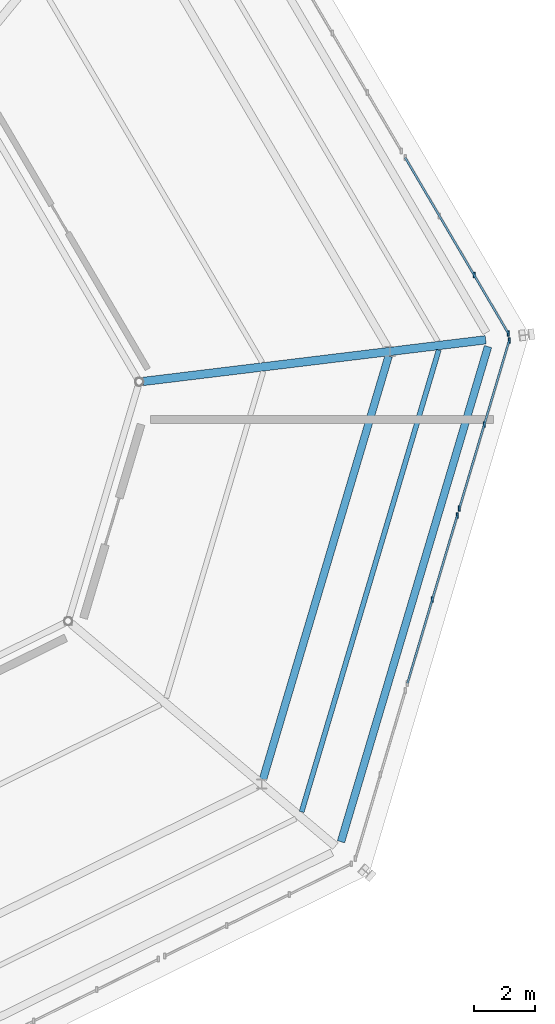
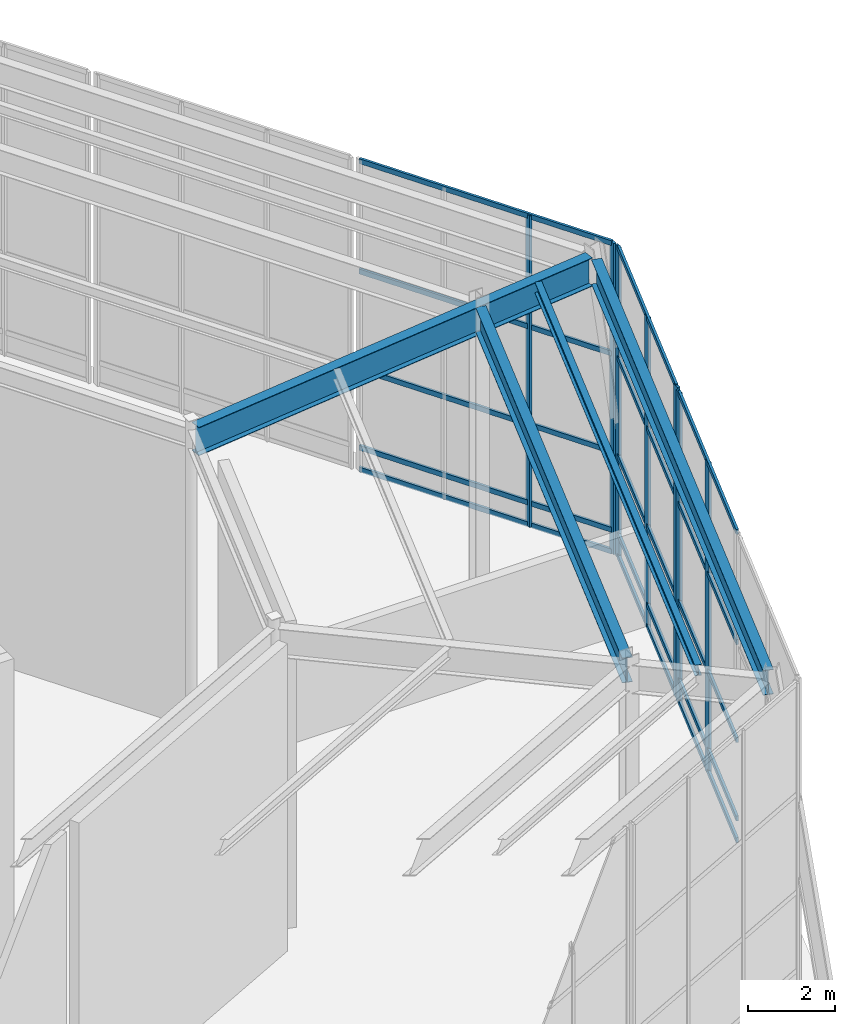
# One storey, part 23 of 48: 22 members, 4 beams, 3 elements without a shape of their own.
"""IFC4 building model written with IfcOpenShell, lengths in metres."""

from ifc_helpers import new_model, si_unit, direction, frame, origin, origin_2d, place, context, subcontext, project, spatial, rectangle, i_section, extrude, material, material_profile, profile_set, type_object, element, aggregate, save


model = new_model("IFC4")

# Units and contexts
model_context = context("Model", 3, precision=1e-05, world=origin(), true_north=direction((0.0, 1.0)))
body_context = subcontext(model_context, "Body", "Model", "MODEL_VIEW")
ifc_project = project(units=[si_unit("LENGTHUNIT", "METRE"), si_unit("AREAUNIT", "SQUARE_METRE"), si_unit("VOLUMEUNIT", "CUBIC_METRE"), si_unit("PLANEANGLEUNIT", "RADIAN"), si_unit("MASSUNIT", "GRAM", prefix="KILO")], contexts=[model_context])

# Site, building, storey
site_placement = place(None, origin())
site = spatial("IfcSite", under=ifc_project, at=site_placement, CompositionType="ELEMENT")
building_placement = place(site_placement, origin())
building = spatial("IfcBuilding", under=site, at=building_placement, Name="Sarnbrook Museum", CompositionType="ELEMENT")
storey_placement = place(building_placement, frame((0.0, 0.0, 19.10009765625)))
storey = spatial("IfcBuildingStorey", under=building, at=storey_placement, Name="L04", CompositionType="ELEMENT", Elevation=19.10009765625)

# Beams
ifc_material_1 = material(Name="Structural Steel Grade 350L0 (AS/NZS 3678, fy = 340 MPa for 20 < t <= 40 mm)", Category="steel")
ifc_material_profile_1 = material_profile(ifc_material_1, i_section(OverallWidth=0.25, OverallDepth=0.699951171875, WebThickness=0.010009765625, FlangeThickness=0.01611328125, at=origin_2d()), Name="700WB130")
ifc_profile_set_1 = profile_set([ifc_material_profile_1], Name="Structural Steel Grade 350L0 (AS/NZS 3678, fy = 340 MPa for 20 < t <= 40 mm)")
beam_type_1 = type_object("IfcBeamType", Name="BM-WB700", PredefinedType="BEAM", material=ifc_profile_set_1)
beam_1_placement = place(storey_placement, frame((160.9990234375, 71.12109375, 8.389892578125), z_axis=(0.284592911053, 0.958648462669, 0.0), x_axis=(-0.958648462669, 0.284592911053, 0.0)))
element("IfcBeam", 1, at=beam_1_placement, inside=storey, type_object=beam_type_1, Name="Crystal Hall Perimeter Ring Girder 3 L04", PredefinedType="BEAM", context=body_context, shape_type="SweptSolid", body=[
    extrude(i_section(OverallWidth=0.25, OverallDepth=0.699951171875, WebThickness=0.010009765625, FlangeThickness=0.01611328125, at=origin_2d()), origin(), (0.0, 0.0, 1.0), 16.950439453125),
])
beam_2_placement = place(storey_placement, frame((158.438232421875, 73.169189453125, 8.389892578125), z_axis=(0.284607000201, 0.958644279927, 0.0), x_axis=(-0.958644279927, 0.284607000201, 0.0)))
element("IfcBeam", 2, at=beam_2_placement, inside=storey, type_object=beam_type_1, Name="Crystal Hall R1 Ring Girder 3 L04", PredefinedType="BEAM", context=body_context, shape_type="SweptSolid", body=[
    extrude(i_section(OverallWidth=0.25, OverallDepth=0.699951171875, WebThickness=0.010009765625, FlangeThickness=0.01611328125, at=origin_2d()), origin(), (0.0, 0.0, 1.0), 14.48681640625),
])
ifc_material_profile_2 = material_profile(ifc_material_1, i_section(OverallWidth=0.27490234375, OverallDepth=0.800048828125, WebThickness=0.010009765625, FlangeThickness=0.01611328125, at=origin_2d()), Name="800WB146")
ifc_profile_set_2 = profile_set([ifc_material_profile_2], Name="Structural Steel Grade 350L0 (AS/NZS 3678, fy = 340 MPa for 20 < t <= 40 mm)")
beam_type_2 = type_object("IfcBeamType", Name="CR-CANT", PredefinedType="BEAM", material=ifc_profile_set_2)
beam_3_placement = place(storey_placement, frame((154.501220703125, 86.224609375, 8.33984375), z_axis=(0.992686188538, 0.120723365946, 0.0), x_axis=(-0.120723365946, 0.992686188538, 0.0)))
element("IfcBeam", 3, at=beam_3_placement, inside=storey, type_object=beam_type_2, Name="Crystal Hall Radial Cantilever Girder 4 L04", PredefinedType="BEAM", context=body_context, shape_type="SweptSolid", body=[
    extrude(i_section(OverallWidth=0.27490234375, OverallDepth=0.800048828125, WebThickness=0.010009765625, FlangeThickness=0.01611328125, at=origin_2d()), origin(), (0.0, 0.0, 1.0), 11.326904296875),
])

# Curtain wall, members
ifc_material_2 = material(Name="Thermally Broken Anodised Aluminium 6063-T6", Category="aluminium")
curtain_wall_type = type_object("IfcCurtainWallType", Name="CurtainWall_CrystalFacet", PredefinedType="NOTDEFINED", material=ifc_material_2)
curtain_wall_1_placement = place(storey_placement, origin())
curtain_wall_1 = element("IfcCurtainWall", 4, at=curtain_wall_1_placement, inside=storey, type_object=curtain_wall_type, Name="Crystal Hall Facet Curtain Wall L04-F3.2", PredefinedType="NOTDEFINED")
ifc_material_profile_3 = material_profile(ifc_material_2, rectangle(XDim=0.06494140625, YDim=0.179931640625, at=origin_2d()), Name="ALU MULLION 65x180")
ifc_profile_set_3 = profile_set([ifc_material_profile_3], Name="Thermally Broken Anodised Aluminium 6063-T6")
member_type_1 = type_object("IfcMemberType", Name="CW_Mullion_180x75", PredefinedType="MULLION", material=ifc_profile_set_3)
member_1_placement = place(storey_placement, frame((163.995361328125, 79.07177734375, 0.0), z_axis=(0.0, 0.0, 1.0), x_axis=(1.0, 0.0, 0.0)))
member_1 = element("IfcMember", 5, at=member_1_placement, type_object=member_type_1, Name="Crystal Hall Facet Curtain Wall L04-F3.2 Mullion 2", PredefinedType="MULLION", context=body_context, shape_type="SweptSolid", body=[
    extrude(rectangle(XDim=0.06494140625, YDim=0.179931640625, at=origin_2d()), origin(), (0.0, 0.0, 1.0), 8.739990234375),
])
member_2_placement = place(storey_placement, frame((164.814208984375, 81.82958984375, 0.0), z_axis=(0.0, 0.0, 1.0), x_axis=(1.0, 0.0, 0.0)))
member_2 = element("IfcMember", 6, at=member_2_placement, type_object=member_type_1, Name="Crystal Hall Facet Curtain Wall L04-F3.2 Mullion 3", PredefinedType="MULLION", context=body_context, shape_type="SweptSolid", body=[
    extrude(rectangle(XDim=0.06494140625, YDim=0.179931640625, at=origin_2d()), origin(), (0.0, 0.0, 1.0), 8.739990234375),
])

curtain_wall_2_placement = place(storey_placement, origin())
curtain_wall_2 = element("IfcCurtainWall", 7, at=curtain_wall_2_placement, inside=storey, type_object=curtain_wall_type, Name="Crystal Hall Facet Curtain Wall L04-F3.3", PredefinedType="NOTDEFINED")
member_3_placement = place(storey_placement, frame((164.88232421875, 82.059814453125, 0.0), z_axis=(0.0, 0.0, 1.0), x_axis=(1.0, 0.0, 0.0)))
member_3 = element("IfcMember", 8, at=member_3_placement, type_object=member_type_1, Name="Crystal Hall Facet Curtain Wall L04-F3.3 Mullion 1", PredefinedType="MULLION", context=body_context, shape_type="SweptSolid", body=[
    extrude(rectangle(XDim=0.06494140625, YDim=0.179931640625, at=origin_2d()), origin(), (0.0, 0.0, 1.0), 8.739990234375),
])
member_4_placement = place(storey_placement, frame((165.701171875, 84.8173828125, 0.0), z_axis=(0.0, 0.0, 1.0), x_axis=(1.0, 0.0, 0.0)))
member_4 = element("IfcMember", 9, at=member_4_placement, type_object=member_type_1, Name="Crystal Hall Facet Curtain Wall L04-F3.3 Mullion 2", PredefinedType="MULLION", context=body_context, shape_type="SweptSolid", body=[
    extrude(rectangle(XDim=0.06494140625, YDim=0.179931640625, at=origin_2d()), origin(), (0.0, 0.0, 1.0), 8.739990234375),
])
member_5_placement = place(storey_placement, frame((166.519775390625, 87.575439453125, 0.0), z_axis=(0.0, 0.0, 1.0), x_axis=(1.0, 0.0, 0.0)))
member_5 = element("IfcMember", 10, at=member_5_placement, type_object=member_type_1, Name="Crystal Hall Facet Curtain Wall L04-F3.3 Mullion 3", PredefinedType="MULLION", context=body_context, shape_type="SweptSolid", body=[
    extrude(rectangle(XDim=0.06494140625, YDim=0.179931640625, at=origin_2d()), origin(), (0.0, 0.0, 1.0), 8.739990234375),
])

curtain_wall_3_placement = place(storey_placement, origin())
curtain_wall_3 = element("IfcCurtainWall", 11, at=curtain_wall_3_placement, inside=storey, type_object=curtain_wall_type, Name="Crystal Hall Facet Curtain Wall L04-F4.1", PredefinedType="NOTDEFINED")
member_6_placement = place(storey_placement, frame((166.493408203125, 87.7939453125, 0.0), z_axis=(0.0, 0.0, 1.0), x_axis=(1.0, 0.0, 0.0)))
member_6 = element("IfcMember", 12, at=member_6_placement, type_object=member_type_1, Name="Crystal Hall Facet Curtain Wall L04-F4.1 Mullion 1", PredefinedType="MULLION", context=body_context, shape_type="SweptSolid", body=[
    extrude(rectangle(XDim=0.06494140625, YDim=0.179931640625, at=origin_2d()), origin(), (0.0, 0.0, 1.0), 8.739990234375),
])
member_7_placement = place(storey_placement, frame((165.368896484375, 89.710205078125, 0.0), z_axis=(0.0, 0.0, 1.0), x_axis=(1.0, 0.0, 0.0)))
member_7 = element("IfcMember", 13, at=member_7_placement, type_object=member_type_1, Name="Crystal Hall Facet Curtain Wall L04-F4.1 Mullion 2", PredefinedType="MULLION", context=body_context, shape_type="SweptSolid", body=[
    extrude(rectangle(XDim=0.06494140625, YDim=0.179931640625, at=origin_2d()), origin(), (0.0, 0.0, 1.0), 8.739990234375),
])

# Member
ifc_material_profile_4 = material_profile(ifc_material_2, rectangle(XDim=0.06494140625, YDim=0.139892578125, at=origin_2d()), Name="ALU TRANSOM 65x140")
ifc_profile_set_4 = profile_set([ifc_material_profile_4], Name="Thermally Broken Anodised Aluminium 6063-T6")
member_type_2 = type_object("IfcMemberType", Name="CW_Transom_150x65", PredefinedType="USERDEFINED", material=ifc_profile_set_4)
member_8_placement = place(storey_placement, frame((163.179443359375, 76.323486328125, 0.039794921875), z_axis=(0.284604402661, 0.958645051093, 0.0), x_axis=(-0.958645051093, 0.284604402661, 0.0)))
member_8 = element("IfcMember", 14, at=member_8_placement, type_object=member_type_2, Name="Crystal Hall Facet Curtain Wall L04-F3.2 Transom 1", ObjectType="TRANSOM", PredefinedType="USERDEFINED", context=body_context, shape_type="SweptSolid", body=[
    extrude(rectangle(XDim=0.06494140625, YDim=0.139892578125, at=origin_2d()), origin(), (0.0, 0.0, 1.0), 5.733642578125),
])

member_9_placement = place(storey_placement, frame((163.179443359375, 76.323486328125, 0.64990234375), z_axis=(0.284604402661, 0.958645051093, 0.0), x_axis=(-0.958645051093, 0.284604402661, 0.0)))
member_9 = element("IfcMember", 15, at=member_9_placement, type_object=member_type_2, Name="Crystal Hall Facet Curtain Wall L04-F3.2 Transom 2", ObjectType="TRANSOM", PredefinedType="USERDEFINED", context=body_context, shape_type="SweptSolid", body=[
    extrude(rectangle(XDim=0.06494140625, YDim=0.139892578125, at=origin_2d()), origin(), (0.0, 0.0, 1.0), 5.733642578125),
])

member_10_placement = place(storey_placement, frame((163.179443359375, 76.323486328125, 2.849853515625), z_axis=(0.284604402661, 0.958645051093, 0.0), x_axis=(-0.958645051093, 0.284604402661, 0.0)))
member_10 = element("IfcMember", 16, at=member_10_placement, type_object=member_type_2, Name="Crystal Hall Facet Curtain Wall L04-F3.2 Transom 3", ObjectType="TRANSOM", PredefinedType="USERDEFINED", context=body_context, shape_type="SweptSolid", body=[
    extrude(rectangle(XDim=0.06494140625, YDim=0.139892578125, at=origin_2d()), origin(), (0.0, 0.0, 1.0), 5.733642578125),
])

member_11_placement = place(storey_placement, frame((163.179443359375, 76.323486328125, 5.599853515625), z_axis=(0.284604402661, 0.958645051093, 0.0), x_axis=(-0.958645051093, 0.284604402661, 0.0)))
member_11 = element("IfcMember", 17, at=member_11_placement, type_object=member_type_2, Name="Crystal Hall Facet Curtain Wall L04-F3.2 Transom 4", ObjectType="TRANSOM", PredefinedType="USERDEFINED", context=body_context, shape_type="SweptSolid", body=[
    extrude(rectangle(XDim=0.06494140625, YDim=0.139892578125, at=origin_2d()), origin(), (0.0, 0.0, 1.0), 5.733642578125),
])

member_12_placement = place(storey_placement, frame((163.179443359375, 76.323486328125, 8.699951171875), z_axis=(0.284604402661, 0.958645051093, 0.0), x_axis=(-0.958645051093, 0.284604402661, 0.0)))
member_12 = element("IfcMember", 18, at=member_12_placement, type_object=member_type_2, Name="Crystal Hall Facet Curtain Wall L04-F3.2 Transom 5", ObjectType="TRANSOM", PredefinedType="USERDEFINED", context=body_context, shape_type="SweptSolid", body=[
    extrude(rectangle(XDim=0.06494140625, YDim=0.139892578125, at=origin_2d()), origin(), (0.0, 0.0, 1.0), 5.733642578125),
])

aggregate(curtain_wall_1, [member_1, member_2, member_8, member_9, member_10, member_11, member_12])

member_13_placement = place(storey_placement, frame((164.88525390625, 82.0693359375, 0.039794921875), z_axis=(0.284604402661, 0.958645051093, 0.0), x_axis=(-0.958645051093, 0.284604402661, 0.0)))
member_13 = element("IfcMember", 19, at=member_13_placement, type_object=member_type_2, Name="Crystal Hall Facet Curtain Wall L04-F3.3 Transom 1", ObjectType="TRANSOM", PredefinedType="USERDEFINED", context=body_context, shape_type="SweptSolid", body=[
    extrude(rectangle(XDim=0.06494140625, YDim=0.139892578125, at=origin_2d()), origin(), (0.0, 0.0, 1.0), 5.733642578125),
])

member_14_placement = place(storey_placement, frame((164.88525390625, 82.0693359375, 0.64990234375), z_axis=(0.284604402661, 0.958645051093, 0.0), x_axis=(-0.958645051093, 0.284604402661, 0.0)))
member_14 = element("IfcMember", 20, at=member_14_placement, type_object=member_type_2, Name="Crystal Hall Facet Curtain Wall L04-F3.3 Transom 2", ObjectType="TRANSOM", PredefinedType="USERDEFINED", context=body_context, shape_type="SweptSolid", body=[
    extrude(rectangle(XDim=0.06494140625, YDim=0.139892578125, at=origin_2d()), origin(), (0.0, 0.0, 1.0), 5.733642578125),
])

member_15_placement = place(storey_placement, frame((164.88525390625, 82.0693359375, 2.849853515625), z_axis=(0.284604402661, 0.958645051093, 0.0), x_axis=(-0.958645051093, 0.284604402661, 0.0)))
member_15 = element("IfcMember", 21, at=member_15_placement, type_object=member_type_2, Name="Crystal Hall Facet Curtain Wall L04-F3.3 Transom 3", ObjectType="TRANSOM", PredefinedType="USERDEFINED", context=body_context, shape_type="SweptSolid", body=[
    extrude(rectangle(XDim=0.06494140625, YDim=0.139892578125, at=origin_2d()), origin(), (0.0, 0.0, 1.0), 5.733642578125),
])

member_16_placement = place(storey_placement, frame((164.88525390625, 82.0693359375, 5.599853515625), z_axis=(0.284604402661, 0.958645051093, 0.0), x_axis=(-0.958645051093, 0.284604402661, 0.0)))
member_16 = element("IfcMember", 22, at=member_16_placement, type_object=member_type_2, Name="Crystal Hall Facet Curtain Wall L04-F3.3 Transom 4", ObjectType="TRANSOM", PredefinedType="USERDEFINED", context=body_context, shape_type="SweptSolid", body=[
    extrude(rectangle(XDim=0.06494140625, YDim=0.139892578125, at=origin_2d()), origin(), (0.0, 0.0, 1.0), 5.733642578125),
])

member_17_placement = place(storey_placement, frame((164.88525390625, 82.0693359375, 8.699951171875), z_axis=(0.284604402661, 0.958645051093, 0.0), x_axis=(-0.958645051093, 0.284604402661, 0.0)))
member_17 = element("IfcMember", 23, at=member_17_placement, type_object=member_type_2, Name="Crystal Hall Facet Curtain Wall L04-F3.3 Transom 5", ObjectType="TRANSOM", PredefinedType="USERDEFINED", context=body_context, shape_type="SweptSolid", body=[
    extrude(rectangle(XDim=0.06494140625, YDim=0.139892578125, at=origin_2d()), origin(), (0.0, 0.0, 1.0), 5.733642578125),
])

aggregate(curtain_wall_2, [member_3, member_4, member_5, member_13, member_14, member_15, member_16, member_17])

member_18_placement = place(storey_placement, frame((166.48828125, 87.802490234375, 0.039794921875), z_axis=(-0.5060559046, 0.862500679084, 0.0), x_axis=(-0.862500679084, -0.5060559046, 0.0)))
member_18 = element("IfcMember", 24, at=member_18_placement, type_object=member_type_2, Name="Crystal Hall Facet Curtain Wall L04-F4.1 Transom 1", ObjectType="TRANSOM", PredefinedType="USERDEFINED", context=body_context, shape_type="SweptSolid", body=[
    extrude(rectangle(XDim=0.06494140625, YDim=0.139892578125, at=origin_2d()), origin(), (0.0, 0.0, 1.0), 6.685546875),
])

member_19_placement = place(storey_placement, frame((166.48828125, 87.802490234375, 0.64990234375), z_axis=(-0.5060559046, 0.862500679084, 0.0), x_axis=(-0.862500679084, -0.5060559046, 0.0)))
member_19 = element("IfcMember", 25, at=member_19_placement, type_object=member_type_2, Name="Crystal Hall Facet Curtain Wall L04-F4.1 Transom 2", ObjectType="TRANSOM", PredefinedType="USERDEFINED", context=body_context, shape_type="SweptSolid", body=[
    extrude(rectangle(XDim=0.06494140625, YDim=0.139892578125, at=origin_2d()), origin(), (0.0, 0.0, 1.0), 6.685546875),
])

member_20_placement = place(storey_placement, frame((166.48828125, 87.802490234375, 2.849853515625), z_axis=(-0.5060559046, 0.862500679084, 0.0), x_axis=(-0.862500679084, -0.5060559046, 0.0)))
member_20 = element("IfcMember", 26, at=member_20_placement, type_object=member_type_2, Name="Crystal Hall Facet Curtain Wall L04-F4.1 Transom 3", ObjectType="TRANSOM", PredefinedType="USERDEFINED", context=body_context, shape_type="SweptSolid", body=[
    extrude(rectangle(XDim=0.06494140625, YDim=0.139892578125, at=origin_2d()), origin(), (0.0, 0.0, 1.0), 6.685546875),
])

member_21_placement = place(storey_placement, frame((166.48828125, 87.802490234375, 5.599853515625), z_axis=(-0.5060559046, 0.862500679084, 0.0), x_axis=(-0.862500679084, -0.5060559046, 0.0)))
member_21 = element("IfcMember", 27, at=member_21_placement, type_object=member_type_2, Name="Crystal Hall Facet Curtain Wall L04-F4.1 Transom 4", ObjectType="TRANSOM", PredefinedType="USERDEFINED", context=body_context, shape_type="SweptSolid", body=[
    extrude(rectangle(XDim=0.06494140625, YDim=0.139892578125, at=origin_2d()), origin(), (0.0, 0.0, 1.0), 6.685546875),
])

member_22_placement = place(storey_placement, frame((166.48828125, 87.802490234375, 8.699951171875), z_axis=(-0.5060559046, 0.862500679084, 0.0), x_axis=(-0.862500679084, -0.5060559046, 0.0)))
member_22 = element("IfcMember", 28, at=member_22_placement, type_object=member_type_2, Name="Crystal Hall Facet Curtain Wall L04-F4.1 Transom 5", ObjectType="TRANSOM", PredefinedType="USERDEFINED", context=body_context, shape_type="SweptSolid", body=[
    extrude(rectangle(XDim=0.06494140625, YDim=0.139892578125, at=origin_2d()), origin(), (0.0, 0.0, 1.0), 6.685546875),
])

aggregate(curtain_wall_3, [member_6, member_7, member_18, member_19, member_20, member_21, member_22])

# Beam
ifc_material_3 = material(Name="Structural Steel Grade 300PLUS (AS/NZS 3679.1, fy = 280 MPa for 17 < t <= 40 mm, 300 MPa for t <= 17 mm)", Category="steel")
ifc_material_profile_5 = material_profile(ifc_material_3, i_section(OverallWidth=0.1650390625, OverallDepth=0.303955078125, WebThickness=0.006103515625, FlangeThickness=0.01025390625, FilletRadius=0.011474609375, at=origin_2d()), Name="310UB40.4")
ifc_profile_set_5 = profile_set([ifc_material_profile_5], Name="Structural Steel Grade 300PLUS (AS/NZS 3679.1, fy = 280 MPa for 17 < t <= 40 mm, 300 MPa for t <= 17 mm)")
beam_type_3 = type_object("IfcBeamType", Name="JS-UB310", PredefinedType="JOIST", material=ifc_profile_set_5)
beam_4_placement = place(storey_placement, frame((159.705810546875, 72.10205078125, 8.587890625), z_axis=(0.284609376447, 0.958643574452, 0.0), x_axis=(-0.958643574452, 0.284609376447, 0.0)))
element("IfcBeam", 29, at=beam_4_placement, inside=storey, type_object=beam_type_3, Name="Crystal Hall Tangential Joist MO-3 L04", PredefinedType="JOIST", context=body_context, shape_type="SweptSolid", body=[
    extrude(i_section(OverallWidth=0.1650390625, OverallDepth=0.303955078125, WebThickness=0.006103515625, FlangeThickness=0.01025390625, FilletRadius=0.011474609375, at=origin_2d()), origin(), (0.0, 0.0, 1.0), 15.80859375),
])

save(model, "model.ifc")
